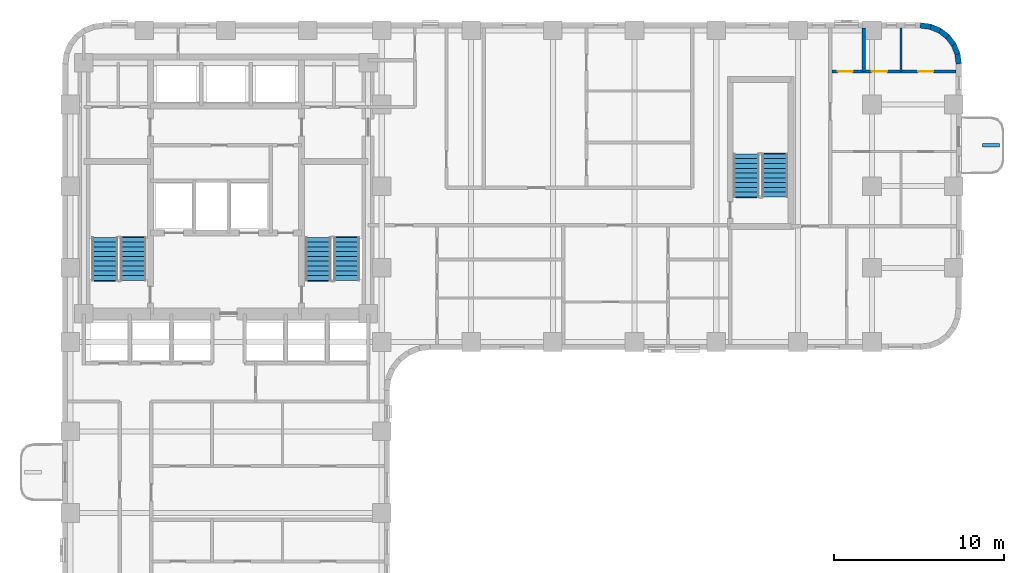
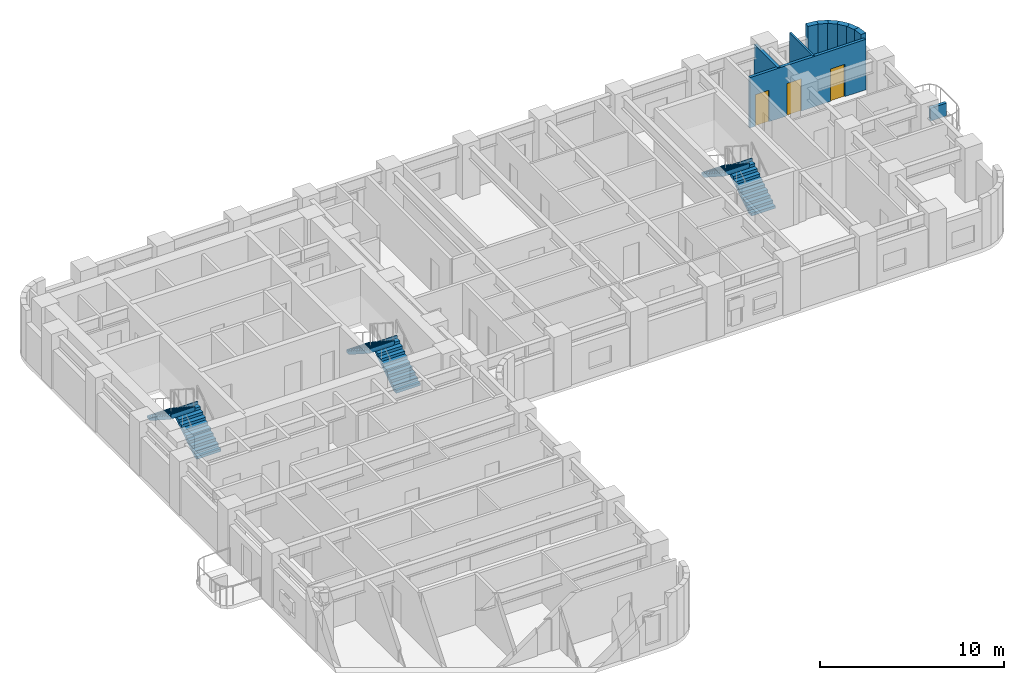
# One storey, part 9 of 12: 10 walls, 6 stair flights, 3 doors, 3 openings, 3 elements without a shape of their own.
"""IFC4 building model written with IfcOpenShell, lengths in metres."""

from ifc_helpers import new_model, si_unit, direction, frame, frame_2d, origin, place, context, subcontext, project, spatial, polyline, rectangle, outline, extrude, material, layer, layer_set, type_object, element, fill, aggregate, save


model = new_model("IFC4")

# Units and contexts
model_context = context("Model", 3, precision=1e-05, world=origin(), true_north=direction((0.0, 1.0)))
body_context = subcontext(model_context, "Body", "Model", "MODEL_VIEW")
ifc_project = project(units=[si_unit("LENGTHUNIT", "METRE"), si_unit("AREAUNIT", "SQUARE_METRE"), si_unit("VOLUMEUNIT", "CUBIC_METRE"), si_unit("PLANEANGLEUNIT", "RADIAN"), si_unit("MASSUNIT", "GRAM", prefix="KILO")], contexts=[model_context])

# Site, building, storey
site_placement = place(None, origin())
site = spatial("IfcSite", under=ifc_project, at=site_placement, CompositionType="ELEMENT")
building_placement = place(site_placement, origin())
building = spatial("IfcBuilding", under=site, at=building_placement, Name="Orvandelia Arch Residences", CompositionType="ELEMENT")
storey_placement = place(building_placement, frame((0.0, 0.0, 71.800048828125)))
storey = spatial("IfcBuildingStorey", under=building, at=storey_placement, Name="L18", CompositionType="ELEMENT", Elevation=71.800048828125)

# Walls
ifc_material_1 = material(Name="Precast concrete C40/50", Category="concrete")
ifc_layer_1 = layer(ifc_material_1, 0.320068359375, Name="Precast concrete C40/50", Category="concrete")
ifc_layer_set_1 = layer_set([ifc_layer_1], Name="Precast concrete C40/50")
wall_type_1 = type_object("IfcWallType", Name="WL-EXT-STONE-320", PredefinedType="STANDARD", material=ifc_layer_set_1)
for number, where, z_axis, x_axis, name in (
    (1, (55.17919921875, 47.84130859375, 0.0), (0.0, 0.0, 1.0), (0.9914410257, -0.130555323746, 0.0), "Coral-Limestone Precast Facade Wall L18-008"),
    (2, (55.760009765625, 47.7705078125, 0.0), (0.0, 0.0, 1.0), (0.92389335771, -0.382650053678, 0.0), "Coral-Limestone Precast Facade Wall L18-009"),
):
    element("IfcWall", number, at=place(storey_placement, frame(where, z_axis=z_axis, x_axis=x_axis)), inside=storey, type_object=wall_type_1, Name=name, PredefinedType="STANDARD", context=body_context, shape_type="SweptSolid", body=[
        extrude(rectangle(XDim=0.62646484375, YDim=0.320068359375, at=frame_2d((0.313232421875, 0.0))), origin(), (0.0, 0.0, 1.0), 3.349853515625),
    ])
wall_1_placement = place(storey_placement, frame((56.302490234375, 47.551513671875, 0.0), z_axis=(0.0, 0.0, 1.0), x_axis=(0.793549926411, -0.608505147302, 0.0)))
element("IfcWall", 3, at=wall_1_placement, inside=storey, type_object=wall_type_1, Name="Coral-Limestone Precast Facade Wall L18-010", PredefinedType="STANDARD", context=body_context, shape_type="SweptSolid", body=[
    extrude(rectangle(XDim=0.626708984375, YDim=0.320068359375, at=frame_2d((0.3134765625, 0.0))), origin(), (0.0, 0.0, 1.0), 3.349853515625),
])
for number, where, z_axis, x_axis, name in (
    (4, (56.770263671875, 47.19970703125, 0.0), (0.0, 0.0, 1.0), (0.608693302629, -0.793405610854, 0.0), "Coral-Limestone Precast Facade Wall L18-011"),
    (5, (57.130615234375, 46.73876953125, 0.0), (0.0, 0.0, 1.0), (0.382650053678, -0.92389335771, 0.0), "Coral-Limestone Precast Facade Wall L18-012"),
    (6, (57.359619140625, 46.2001953125, 0.0), (0.0, 0.0, 1.0), (0.130555323746, -0.9914410257, 0.0), "Coral-Limestone Precast Facade Wall L18-013"),
):
    element("IfcWall", number, at=place(storey_placement, frame(where, z_axis=z_axis, x_axis=x_axis)), inside=storey, type_object=wall_type_1, Name=name, PredefinedType="STANDARD", context=body_context, shape_type="SweptSolid", body=[
        extrude(rectangle(XDim=0.62646484375, YDim=0.320068359375, at=frame_2d((0.313232421875, 0.0))), origin(), (0.0, 0.0, 1.0), 3.349853515625),
    ])
ifc_material_2 = material(Name="Lightweight Gypsum Stud Partition")
ifc_layer_2 = layer(ifc_material_2, 0.1201171875, Name="Lightweight Gypsum Stud Partition")
ifc_layer_set_2 = layer_set([ifc_layer_2], Name="Lightweight Gypsum Stud Partition")
wall_type_2 = type_object("IfcWallType", Name="WL-PART-120", PredefinedType="PARTITIONING", material=ifc_layer_set_2)
wall_2_placement = place(storey_placement, frame((54.048095703125, 45.138916015625, 0.0), z_axis=(0.0, 0.0, 1.0), x_axis=(0.0, 1.0, 0.0)))
element("IfcWall", 7, at=wall_2_placement, inside=storey, type_object=wall_type_2, Name="Interior Partition Wall WL-L18-U07-V2", PredefinedType="PARTITIONING", context=body_context, shape_type="SweptSolid", body=[
    extrude(rectangle(XDim=2.541015625, YDim=0.1201171875, at=frame_2d((1.2705078125, 0.0))), origin(), (0.0, 0.0, 1.0), 3.349853515625),
])
ifc_layer_3 = layer(ifc_material_1, 0.199951171875, Name="Precast concrete C40/50", Category="concrete")
ifc_layer_set_3 = layer_set([ifc_layer_3], Name="Precast concrete C40/50")
wall_type_3 = type_object("IfcWallType", Name="WL-PLANTER-200", PredefinedType="MOVABLE", material=ifc_layer_set_3)
wall_3_placement = place(storey_placement, frame((58.85009765625, 40.800048828125, 0.0), z_axis=(0.0, 0.0, 1.0), x_axis=(1.0, 0.0, 0.0)))
element("IfcWall", 8, at=wall_3_placement, inside=storey, type_object=wall_type_3, Name="Balcony Precast Tree Planter BAL-L18-E1", PredefinedType="MOVABLE", context=body_context, shape_type="SweptSolid", body=[
    extrude(rectangle(XDim=1.0, YDim=0.199951171875, at=frame_2d((0.5, 0.0))), origin(), (0.0, 0.0, 1.0), 0.849853515625),
])

# Wall, openings, doors
ifc_material_3 = material(Name="Moisture-Resistant Plumbing Wall")
ifc_layer_4 = layer(ifc_material_3, 0.179931640625, Name="Moisture-Resistant Plumbing Wall")
ifc_layer_set_4 = layer_set([ifc_layer_4], Name="Moisture-Resistant Plumbing Wall")
wall_type_4 = type_object("IfcWallType", Name="WL-WET-180", PredefinedType="PLUMBINGWALL", material=ifc_layer_set_4)
wall_4_placement = place(storey_placement, frame((50.0, 45.138916015625, 0.0), z_axis=(0.0, 0.0, 1.0), x_axis=(1.0, 0.0, 0.0)))
wall_4 = element("IfcWall", 9, at=wall_4_placement, inside=storey, type_object=wall_type_4, Name="Interior Partition Wall WL-L18-U07-HZ", PredefinedType="PLUMBINGWALL", context=body_context, shape_type="SweptSolid", body=[
    extrude(rectangle(XDim=7.280029296875, YDim=0.179931640625, at=frame_2d((3.64013671875, 0.0))), origin(), (0.0, 0.0, 1.0), 3.349853515625),
])
opening_1_placement = place(wall_4_placement, frame((0.343017578125, 0.0, 0.0)))
opening_1 = element("IfcOpeningElement", 10, at=opening_1_placement, cuts=wall_4, Name="Opening D4", PredefinedType="OPENING", context=body_context, shape_type="SweptSolid", body=[
    extrude(rectangle(XDim=0.860107421875, YDim=2.10009765625, at=frame_2d((0.43017578125, 1.050048828125))), frame((0.0, 0.10009765625, 0.0), z_axis=(0.0, -1.0, 0.0), x_axis=(1.0, 0.0, 0.0)), (0.0, 0.0, 1.0), 0.199951171875),
])
opening_2_placement = place(wall_4_placement, frame((2.328125, 0.0, 0.0)))
opening_2 = element("IfcOpeningElement", 11, at=opening_2_placement, cuts=wall_4, Name="Opening D3", PredefinedType="OPENING", context=body_context, shape_type="SweptSolid", body=[
    extrude(rectangle(XDim=0.89990234375, YDim=2.14990234375, at=frame_2d((0.449951171875, 1.074951171875))), frame((0.0, 0.10009765625, 0.0), z_axis=(0.0, -1.0, 0.0), x_axis=(1.0, 0.0, 0.0)), (0.0, 0.0, 1.0), 0.199951171875),
])
opening_3_placement = place(wall_4_placement, frame((5.056884765625, 0.0, 0.0)))
opening_3 = element("IfcOpeningElement", 12, at=opening_3_placement, cuts=wall_4, Name="Opening D3", PredefinedType="OPENING", context=body_context, shape_type="SweptSolid", body=[
    extrude(rectangle(XDim=0.89990234375, YDim=2.14990234375, at=frame_2d((0.449951171875, 1.074951171875))), frame((0.0, 0.10009765625, 0.0), z_axis=(0.0, -1.0, 0.0), x_axis=(1.0, 0.0, 0.0)), (0.0, 0.0, 1.0), 0.199951171875),
])
ifc_material_4 = material(Name="Engineered Timber Flush Door", Category="wood")
door_type_1 = type_object("IfcDoorType", Name="DR-INT-900", OperationType="NOTDEFINED", PredefinedType="DOOR", material=ifc_material_4)
door_1_placement = place(opening_2_placement, origin())
door_1 = element("IfcDoor", 13, at=door_1_placement, inside=storey, type_object=door_type_1, Name="DR-L18-U07-KIT", OperationType="SINGLE_SWING_LEFT", OverallHeight=2.14990234375, OverallWidth=0.89990234375, PredefinedType="DOOR", context=body_context, shape_type="SweptSolid", body=[
    extrude(rectangle(XDim=0.89990234375, YDim=2.14990234375, at=frame_2d((0.449951171875, 1.074951171875))), frame((0.0, 0.02490234375, 0.0), z_axis=(0.0, -1.0, 0.0), x_axis=(1.0, 0.0, 0.0)), (0.0, 0.0, 1.0), 0.050048828125),
])
fill(opening_2, door_1)
door_2_placement = place(opening_3_placement, origin())
door_2 = element("IfcDoor", 14, at=door_2_placement, inside=storey, type_object=door_type_1, Name="DR-L18-U07-BD1", OperationType="SINGLE_SWING_RIGHT", OverallHeight=2.14990234375, OverallWidth=0.89990234375, PredefinedType="DOOR", context=body_context, shape_type="SweptSolid", body=[
    extrude(rectangle(XDim=0.89990234375, YDim=2.14990234375, at=frame_2d((0.449951171875, 1.074951171875))), frame((0.0, 0.02490234375, 0.0), z_axis=(0.0, -1.0, 0.0), x_axis=(1.0, 0.0, 0.0)), (0.0, 0.0, 1.0), 0.050048828125),
])
fill(opening_3, door_2)
ifc_material_5 = material(Name="Moisture-Sealed Timber Bathroom Door", Category="wood")
door_type_2 = type_object("IfcDoorType", Name="DR-WET-900", OperationType="NOTDEFINED", PredefinedType="DOOR", material=ifc_material_5)
door_3_placement = place(opening_1_placement, origin())
door_3 = element("IfcDoor", 15, at=door_3_placement, inside=storey, type_object=door_type_2, Name="DR-L18-U07-BTH", OperationType="SINGLE_SWING_RIGHT", OverallHeight=2.10009765625, OverallWidth=0.860107421875, PredefinedType="DOOR", context=body_context, shape_type="SweptSolid", body=[
    extrude(rectangle(XDim=0.860107421875, YDim=2.10009765625, at=frame_2d((0.43017578125, 1.050048828125))), frame((0.0, 0.02490234375, 0.0), z_axis=(0.0, -1.0, 0.0), x_axis=(1.0, 0.0, 0.0)), (0.0, 0.0, 1.0), 0.050048828125),
])
fill(opening_1, door_3)

# Wall
wall_5_placement = place(storey_placement, frame((51.862060546875, 45.138916015625, 0.0), z_axis=(0.0, 0.0, 1.0), x_axis=(0.0, 1.0, 0.0)))
element("IfcWall", 16, at=wall_5_placement, inside=storey, type_object=wall_type_4, Name="Interior Partition Wall WL-L18-U07-V1", PredefinedType="PLUMBINGWALL", context=body_context, shape_type="SweptSolid", body=[
    extrude(rectangle(XDim=2.541015625, YDim=0.179931640625, at=frame_2d((1.2705078125, 0.0))), origin(), (0.0, 0.0, 1.0), 3.349853515625),
])

# Stair, stair flights
ifc_material_6 = material(Name="Concrete C40/50", Category="concrete")
stair_type = type_object("IfcStairType", Name="STAIR-RC-DOGLEG", PredefinedType="HALF_TURN_STAIR", material=ifc_material_6)
stair_1_placement = place(storey_placement, origin())
stair_1 = element("IfcStair", 17, at=stair_1_placement, inside=storey, type_object=stair_type, Name="L18 Protected Exit Stair ST-1", PredefinedType="HALF_TURN_STAIR")
stair_flight_type = type_object("IfcStairFlightType", Name="STFLT-RC-1520", PredefinedType="STRAIGHT", material=ifc_material_6)
stair_flight_1_placement = place(storey_placement, frame((8.9599609375, 32.8701171875, 0.0), z_axis=(0.0, 0.0, 1.0), x_axis=(0.0, 1.0, 0.0)))
stair_flight_1 = element("IfcStairFlight", 18, at=stair_flight_1_placement, type_object=stair_flight_type, Name="ST-1 flight 1", NumberOfRisers=10, NumberOfTreads=9, PredefinedType="STRAIGHT", RiserHeight=0.18, TreadLength=0.28, context=body_context, shape_type="SweptSolid", body=[
    extrude(outline(polyline([(0.0, 0.0), (0.0, 0.179931640625), (0.280029296875, 0.179931640625), (0.280029296875, 0.360107421875), (0.56005859375, 0.360107421875), (0.56005859375, 0.5400390625), (0.840087890625, 0.5400390625), (0.840087890625, 0.719970703125), (1.1201171875, 0.719970703125), (1.1201171875, 0.89990234375), (1.39990234375, 0.89990234375), (1.39990234375, 1.080078125), (1.679931640625, 1.080078125), (1.679931640625, 1.260009765625), (1.9599609375, 1.260009765625), (1.9599609375, 1.43994140625), (2.239990234375, 1.43994140625), (2.239990234375, 1.6201171875), (2.52001953125, 1.6201171875), (2.52001953125, 1.800048828125), (2.580078125, 1.800048828125), (2.580078125, 1.6201171875), (2.52001953125, 1.44189453125), (0.277099609375, 0.0), (0.0, 0.0)])), frame((0.0, 0.760009765625, 0.0), z_axis=(0.0, -1.0, 0.0), x_axis=(1.0, 0.0, 0.0)), (0.0, 0.0, 1.0), 1.52001953125),
])
stair_flight_2_placement = place(storey_placement, frame((7.2900390625, 35.389892578125, 1.800048828125), z_axis=(0.0, 0.0, 1.0), x_axis=(0.0, -1.0, 0.0)))
stair_flight_2 = element("IfcStairFlight", 19, at=stair_flight_2_placement, type_object=stair_flight_type, Name="ST-1 flight 2", NumberOfRisers=10, NumberOfTreads=9, PredefinedType="STRAIGHT", RiserHeight=0.18, TreadLength=0.28, context=body_context, shape_type="SweptSolid", body=[
    extrude(outline(polyline([(0.0, 0.0), (0.0, 0.179931640625), (0.280029296875, 0.179931640625), (0.280029296875, 0.360107421875), (0.56005859375, 0.360107421875), (0.56005859375, 0.5400390625), (0.840087890625, 0.5400390625), (0.840087890625, 0.719970703125), (1.1201171875, 0.719970703125), (1.1201171875, 0.89990234375), (1.39990234375, 0.89990234375), (1.39990234375, 1.080078125), (1.679931640625, 1.080078125), (1.679931640625, 1.260009765625), (1.9599609375, 1.260009765625), (1.9599609375, 1.43994140625), (2.239990234375, 1.43994140625), (2.239990234375, 1.6201171875), (2.52001953125, 1.6201171875), (2.52001953125, 1.800048828125), (2.580078125, 1.800048828125), (2.580078125, 1.6201171875), (2.52001953125, 1.44189453125), (0.277099609375, 0.0), (0.0, 0.0)])), frame((0.0, 0.760009765625, 0.0), z_axis=(0.0, -1.0, 0.0), x_axis=(1.0, 0.0, 0.0)), (0.0, 0.0, 1.0), 1.52001953125),
])
aggregate(stair_1, [stair_flight_1, stair_flight_2])

stair_2_placement = place(storey_placement, origin())
stair_2 = element("IfcStair", 20, at=stair_2_placement, inside=storey, type_object=stair_type, Name="L18 Protected Exit Stair ST-2", PredefinedType="HALF_TURN_STAIR")
stair_flight_3_placement = place(storey_placement, frame((21.489990234375, 32.8701171875, 0.0), z_axis=(0.0, 0.0, 1.0), x_axis=(0.0, 1.0, 0.0)))
stair_flight_3 = element("IfcStairFlight", 21, at=stair_flight_3_placement, type_object=stair_flight_type, Name="ST-2 flight 1", NumberOfRisers=10, NumberOfTreads=9, PredefinedType="STRAIGHT", RiserHeight=0.18, TreadLength=0.28, context=body_context, shape_type="SweptSolid", body=[
    extrude(outline(polyline([(0.0, 0.0), (0.0, 0.179931640625), (0.280029296875, 0.179931640625), (0.280029296875, 0.360107421875), (0.56005859375, 0.360107421875), (0.56005859375, 0.5400390625), (0.840087890625, 0.5400390625), (0.840087890625, 0.719970703125), (1.1201171875, 0.719970703125), (1.1201171875, 0.89990234375), (1.39990234375, 0.89990234375), (1.39990234375, 1.080078125), (1.679931640625, 1.080078125), (1.679931640625, 1.260009765625), (1.9599609375, 1.260009765625), (1.9599609375, 1.43994140625), (2.239990234375, 1.43994140625), (2.239990234375, 1.6201171875), (2.52001953125, 1.6201171875), (2.52001953125, 1.800048828125), (2.580078125, 1.800048828125), (2.580078125, 1.6201171875), (2.52001953125, 1.44189453125), (0.277099609375, 0.0), (0.0, 0.0)])), frame((0.0, 0.760009765625, 0.0), z_axis=(0.0, -1.0, 0.0), x_axis=(1.0, 0.0, 0.0)), (0.0, 0.0, 1.0), 1.52001953125),
])
stair_flight_4_placement = place(storey_placement, frame((19.820068359375, 35.389892578125, 1.800048828125), z_axis=(0.0, 0.0, 1.0), x_axis=(0.0, -1.0, 0.0)))
stair_flight_4 = element("IfcStairFlight", 22, at=stair_flight_4_placement, type_object=stair_flight_type, Name="ST-2 flight 2", NumberOfRisers=10, NumberOfTreads=9, PredefinedType="STRAIGHT", RiserHeight=0.18, TreadLength=0.28, context=body_context, shape_type="SweptSolid", body=[
    extrude(outline(polyline([(0.0, 0.0), (0.0, 0.179931640625), (0.280029296875, 0.179931640625), (0.280029296875, 0.360107421875), (0.56005859375, 0.360107421875), (0.56005859375, 0.5400390625), (0.840087890625, 0.5400390625), (0.840087890625, 0.719970703125), (1.1201171875, 0.719970703125), (1.1201171875, 0.89990234375), (1.39990234375, 0.89990234375), (1.39990234375, 1.080078125), (1.679931640625, 1.080078125), (1.679931640625, 1.260009765625), (1.9599609375, 1.260009765625), (1.9599609375, 1.43994140625), (2.239990234375, 1.43994140625), (2.239990234375, 1.6201171875), (2.52001953125, 1.6201171875), (2.52001953125, 1.800048828125), (2.580078125, 1.800048828125), (2.580078125, 1.6201171875), (2.52001953125, 1.44189453125), (0.277099609375, 0.0), (0.0, 0.0)])), frame((0.0, 0.760009765625, 0.0), z_axis=(0.0, -1.0, 0.0), x_axis=(1.0, 0.0, 0.0)), (0.0, 0.0, 1.0), 1.52001953125),
])
aggregate(stair_2, [stair_flight_3, stair_flight_4])

stair_3_placement = place(storey_placement, origin())
stair_3 = element("IfcStair", 23, at=stair_3_placement, inside=storey, type_object=stair_type, Name="L18 East Wing Exit Stair ST-3", PredefinedType="HALF_TURN_STAIR")
stair_flight_5_placement = place(storey_placement, frame((46.639892578125, 37.77001953125, 0.0), z_axis=(0.0, 0.0, 1.0), x_axis=(0.0, 1.0, 0.0)))
stair_flight_5 = element("IfcStairFlight", 24, at=stair_flight_5_placement, type_object=stair_flight_type, Name="ST-3 flight 1", NumberOfRisers=10, NumberOfTreads=9, PredefinedType="STRAIGHT", RiserHeight=0.18, TreadLength=0.28, context=body_context, shape_type="SweptSolid", body=[
    extrude(outline(polyline([(0.0, 0.0), (0.0, 0.179931640625), (0.280029296875, 0.179931640625), (0.280029296875, 0.360107421875), (0.56005859375, 0.360107421875), (0.56005859375, 0.5400390625), (0.840087890625, 0.5400390625), (0.840087890625, 0.719970703125), (1.1201171875, 0.719970703125), (1.1201171875, 0.89990234375), (1.39990234375, 0.89990234375), (1.39990234375, 1.080078125), (1.679931640625, 1.080078125), (1.679931640625, 1.260009765625), (1.9599609375, 1.260009765625), (1.9599609375, 1.43994140625), (2.239990234375, 1.43994140625), (2.239990234375, 1.6201171875), (2.52001953125, 1.6201171875), (2.52001953125, 1.800048828125), (2.580078125, 1.800048828125), (2.580078125, 1.6201171875), (2.52001953125, 1.44189453125), (0.277099609375, 0.0), (0.0, 0.0)])), frame((0.0, 0.760009765625, 0.0), z_axis=(0.0, -1.0, 0.0), x_axis=(1.0, 0.0, 0.0)), (0.0, 0.0, 1.0), 1.52001953125),
])
stair_flight_6_placement = place(storey_placement, frame((44.969970703125, 40.2900390625, 1.800048828125), z_axis=(0.0, 0.0, 1.0), x_axis=(0.0, -1.0, 0.0)))
stair_flight_6 = element("IfcStairFlight", 25, at=stair_flight_6_placement, type_object=stair_flight_type, Name="ST-3 flight 2", NumberOfRisers=10, NumberOfTreads=9, PredefinedType="STRAIGHT", RiserHeight=0.18, TreadLength=0.28, context=body_context, shape_type="SweptSolid", body=[
    extrude(outline(polyline([(0.0, 0.0), (0.0, 0.179931640625), (0.280029296875, 0.179931640625), (0.280029296875, 0.360107421875), (0.56005859375, 0.360107421875), (0.56005859375, 0.5400390625), (0.840087890625, 0.5400390625), (0.840087890625, 0.719970703125), (1.1201171875, 0.719970703125), (1.1201171875, 0.89990234375), (1.39990234375, 0.89990234375), (1.39990234375, 1.080078125), (1.679931640625, 1.080078125), (1.679931640625, 1.260009765625), (1.9599609375, 1.260009765625), (1.9599609375, 1.43994140625), (2.239990234375, 1.43994140625), (2.239990234375, 1.6201171875), (2.52001953125, 1.6201171875), (2.52001953125, 1.800048828125), (2.580078125, 1.800048828125), (2.580078125, 1.6201171875), (2.52001953125, 1.44189453125), (0.277099609375, 0.0), (0.0, 0.0)])), frame((0.0, 0.760009765625, 0.0), z_axis=(0.0, -1.0, 0.0), x_axis=(1.0, 0.0, 0.0)), (0.0, 0.0, 1.0), 1.52001953125),
])
aggregate(stair_3, [stair_flight_5, stair_flight_6])

save(model, "model.ifc")
